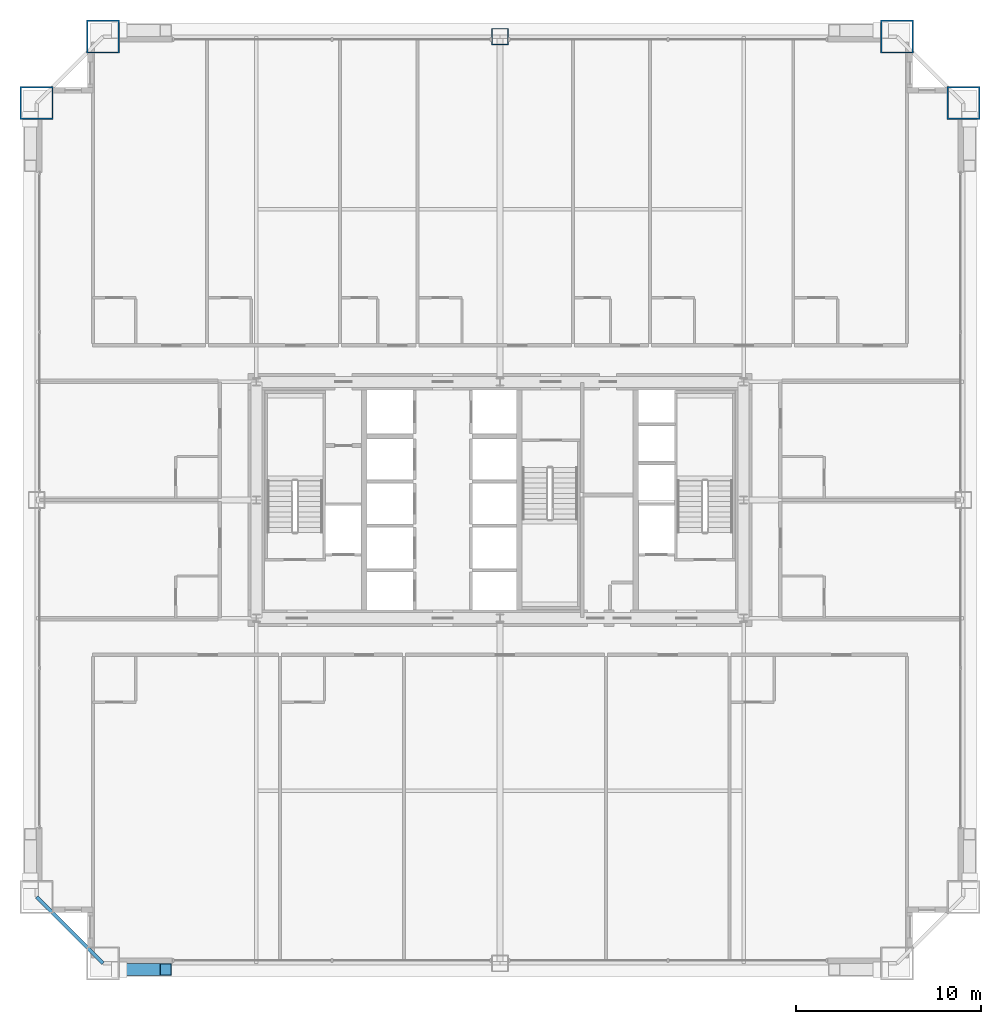
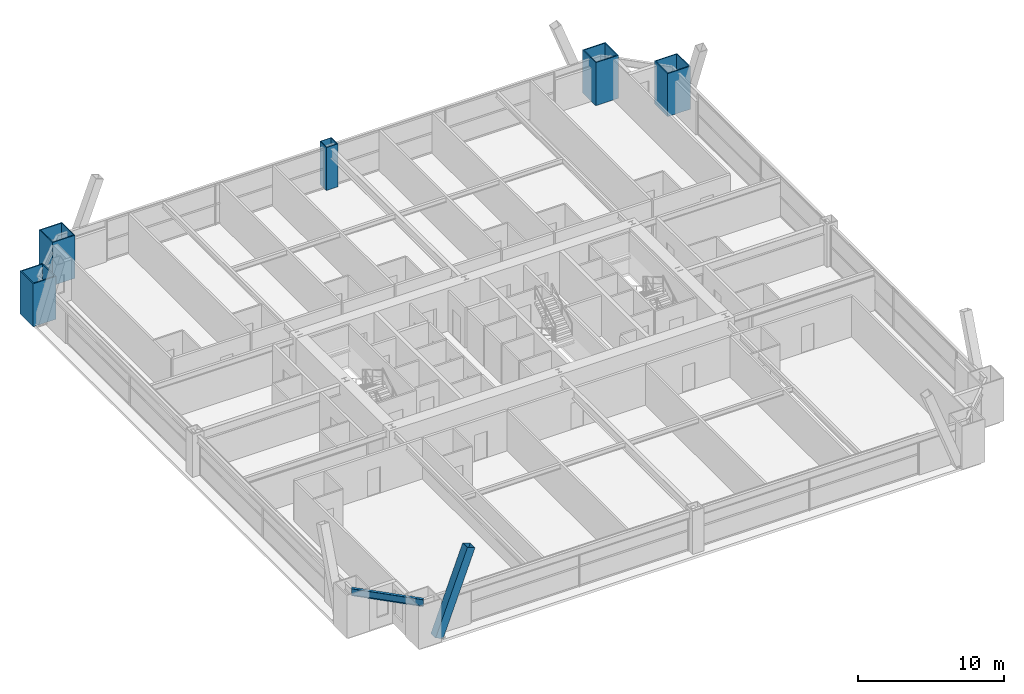
# One storey, part 2 of 43: 5 columns, 1 beam, 1 member.
"""IFC4 building model written with IfcOpenShell, lengths in metres."""

from ifc_helpers import new_model, si_unit, direction, frame, origin, origin_2d, place, context, subcontext, project, spatial, hollow_rectangle, i_section, extrude, source, transform, mapped, material, material_profile, profile_set, type_object, element, save


model = new_model("IFC4")

# Units and contexts
model_context = context("Model", 3, precision=1e-05, world=origin(), true_north=direction((0.0, 1.0)))
body_context = subcontext(model_context, "Body", "Model", "MODEL_VIEW")
ifc_project = project(units=[si_unit("LENGTHUNIT", "METRE"), si_unit("AREAUNIT", "SQUARE_METRE"), si_unit("VOLUMEUNIT", "CUBIC_METRE"), si_unit("PLANEANGLEUNIT", "RADIAN"), si_unit("MASSUNIT", "GRAM", prefix="KILO"), si_unit("THERMODYNAMICTEMPERATUREUNIT", "KELVIN"), si_unit("POWERUNIT", "WATT")], contexts=[model_context])

# Site, building, storey
site_placement = place(None, origin())
site = spatial("IfcSite", under=ifc_project, at=site_placement, CompositionType="ELEMENT")
building_placement = place(site_placement, origin())
building = spatial("IfcBuilding", under=site, at=building_placement, Name="Yuzanri Waterfront Tower", CompositionType="ELEMENT")
storey_placement = place(building_placement, frame((0.0, 0.0, 46.0)))
storey = spatial("IfcBuildingStorey", under=building, at=storey_placement, Name="L11", CompositionType="ELEMENT", Elevation=46.0)

# Columns
ifc_material_1 = material(Name="Steel Q420GJC", Category="steel")
ifc_material_profile_1 = material_profile(ifc_material_1, hollow_rectangle(XDim=1.800048828125, YDim=1.800048828125, WallThickness=0.080078125, at=origin_2d()), Name="RHS 1800x1800x80")
ifc_profile_set_1 = profile_set([ifc_material_profile_1], Name="Steel Q420GJC")
column_type_1 = type_object("IfcColumnType", Name="Mega Column Q420GJC RHS 1800x1800x80", PredefinedType="COLUMN", material=ifc_profile_set_1)
shared_shape_1 = source(origin(), body_context, "Body", "SweptSolid", [
    extrude(hollow_rectangle(XDim=1.800048828125, YDim=1.800048828125, WallThickness=0.080078125, at=origin_2d()), origin(), (0.0, 0.0, 1.0), 3.60009765625),
])
for number, where, z_axis, x_axis, name in (
    (1, (15.5, 50.89990234375, 0.0), (0.0, 0.0, 1.0), (1.0, 0.0, 0.0), "L11 Perimeter Mega Column N1"),
    (2, (58.5, 50.89990234375, 0.0), (0.0, 0.0, 1.0), (1.0, 0.0, 0.0), "L11 Perimeter Mega Column N3"),
    (3, (11.89990234375, 47.300048828125, 0.0), (0.0, 0.0, 1.0), (1.0, 0.0, 0.0), "L11 Perimeter Mega Column W3"),
    (4, (62.10009765625, 47.300048828125, 0.0), (0.0, 0.0, 1.0), (1.0, 0.0, 0.0), "L11 Perimeter Mega Column E3"),
):
    element("IfcColumn", number, at=place(storey_placement, frame(where, z_axis=z_axis, x_axis=x_axis)), inside=storey, type_object=column_type_1, Name=name, PredefinedType="COLUMN", context=body_context, shape_type="MappedRepresentation", body=[
        mapped(shared_shape_1, transform((0.0, 0.0, 0.0), scale=1.0)),
    ])
ifc_material_2 = material(Name="Steel Q390GJC", Category="steel")
ifc_material_profile_2 = material_profile(ifc_material_2, hollow_rectangle(XDim=0.89990234375, YDim=0.89990234375, WallThickness=0.0419921875, at=origin_2d()), Name="RHS 900x900x42")
ifc_profile_set_2 = profile_set([ifc_material_profile_2], Name="Steel Q390GJC")
column_type_2 = type_object("IfcColumnType", Name="Frame Column Q390GJC RHS 900x900x42", PredefinedType="COLUMN", material=ifc_profile_set_2)
shared_shape_2 = source(origin(), body_context, "Body", "SweptSolid", [
    extrude(hollow_rectangle(XDim=0.89990234375, YDim=0.89990234375, WallThickness=0.0419921875, at=origin_2d()), origin(), (0.0, 0.0, 1.0), 3.60009765625),
])
column_placement = place(storey_placement, frame((37.0, 50.89990234375, 0.0), z_axis=(0.0, 0.0, 1.0), x_axis=(1.0, 0.0, 0.0)))
element("IfcColumn", 5, at=column_placement, inside=storey, type_object=column_type_2, Name="L11 Perimeter Frame Column N2", PredefinedType="COLUMN", context=body_context, shape_type="MappedRepresentation", body=[
    mapped(shared_shape_2, transform((0.0, 0.0, 0.0), scale=1.0)),
])

# Beam
ifc_material_3 = material(Name="Steel Q355B", Category="steel")
ifc_material_profile_3 = material_profile(ifc_material_3, i_section(OverallWidth=0.199951171875, OverallDepth=0.60009765625, WebThickness=0.010986328125, FlangeThickness=0.01708984375, at=origin_2d()), Name="HN 600x200x11x17")
ifc_profile_set_3 = profile_set([ifc_material_profile_3], Name="Steel Q355B")
beam_type = type_object("IfcBeamType", Name="Perimeter Spandrel Q355B HN 600x200", PredefinedType="SPANDREL", material=ifc_profile_set_3)
shared_shape_3 = source(origin(), body_context, "Body", "SweptSolid", [
    extrude(i_section(OverallWidth=0.199951171875, OverallDepth=0.60009765625, WebThickness=0.010986328125, FlangeThickness=0.01708984375, at=origin_2d()), origin(), (0.0, 0.0, 1.0), 5.09130859375),
])
beam_placement = place(storey_placement, frame((11.89990234375, 4.300048828125, 3.080078125), z_axis=(0.707106781187, -0.707106781187, 0.0), x_axis=(0.707106781187, 0.707106781187, 0.0)))
element("IfcBeam", 6, at=beam_placement, inside=storey, type_object=beam_type, Name="L11 Perimeter Spandrel W1-S1", PredefinedType="SPANDREL", context=body_context, shape_type="MappedRepresentation", body=[
    mapped(shared_shape_3, transform((0.0, 0.0, 0.0), scale=1.0)),
])

# Member
ifc_material_4 = material(Name="Steel Q420GJC", Category="steel")
ifc_material_profile_4 = material_profile(ifc_material_4, hollow_rectangle(XDim=0.64990234375, YDim=0.64990234375, WallThickness=0.028076171875, at=origin_2d()), Name="RHS 650x650x28")
ifc_profile_set_4 = profile_set([ifc_material_profile_4], Name="Steel Q420GJC")
member_type = type_object("IfcMemberType", Name="Mega Brace Lower Q420GJC RHS 650x650x28", PredefinedType="BRACE", material=ifc_profile_set_4)
shared_shape_4 = source(origin(), body_context, "Body", "SweptSolid", [
    extrude(hollow_rectangle(XDim=0.64990234375, YDim=0.64990234375, WallThickness=0.028076171875, at=origin_2d()), origin(), (0.0, 0.0, 1.0), 7.158203125),
])
member_placement = place(storey_placement, frame((16.3798828125, 0.360107421875, 0.179931640625), z_axis=(0.352046480343, 0.0, 0.935982518896), x_axis=(0.0, 1.0, 0.0)))
element("IfcMember", 7, at=member_placement, inside=storey, type_object=member_type, Name="L11-L12 Perimeter Mega-Brace S-L", PredefinedType="BRACE", context=body_context, shape_type="MappedRepresentation", body=[
    mapped(shared_shape_4, transform((0.0, 0.0, 0.0), scale=1.0)),
])

save(model, "model.ifc")
